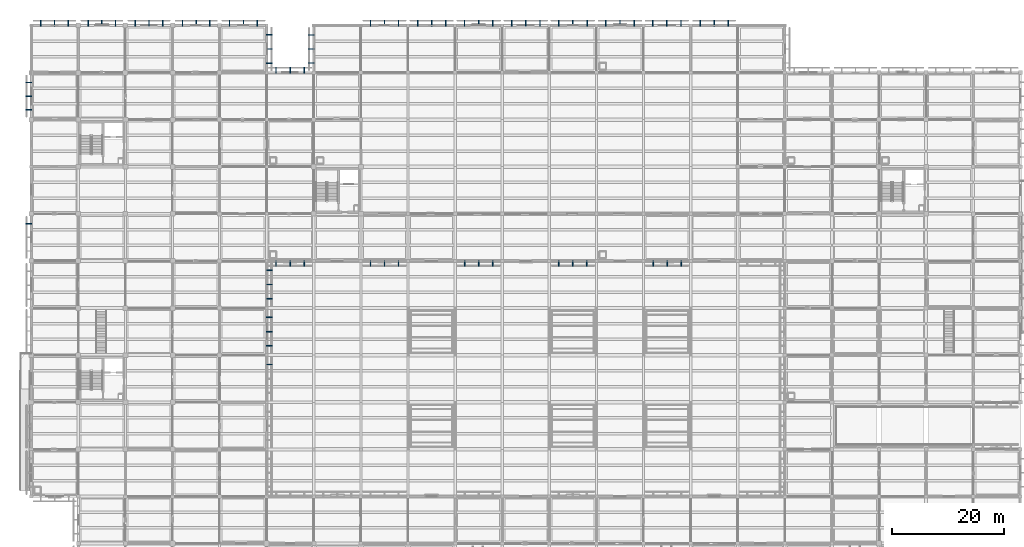
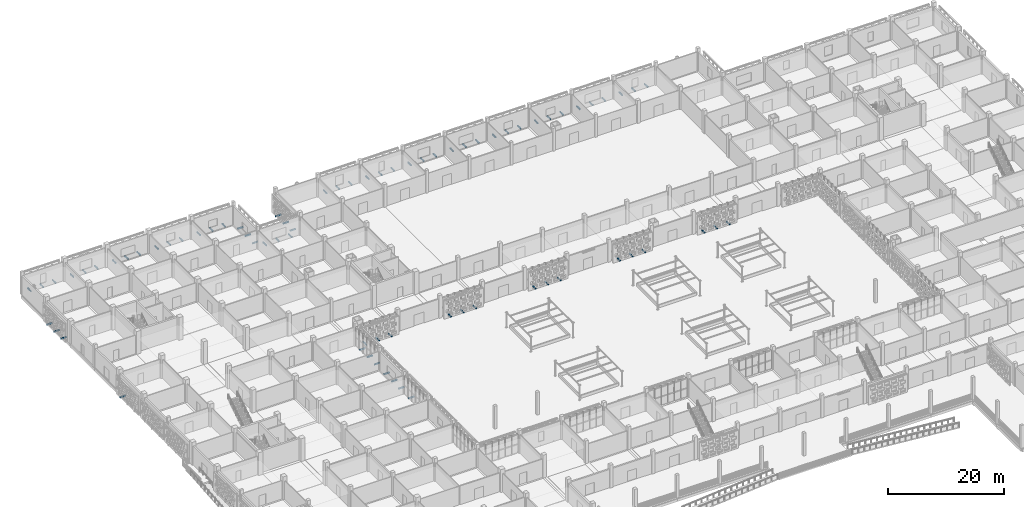
# One storey, part 78 of 129: 74 discrete accessories.
"""IFC4 building model written with IfcOpenShell, lengths in metres."""

from ifc_helpers import new_model, si_unit, direction, frame, origin, origin_2d, place, context, subcontext, project, spatial, rectangle, extrude, material, type_object, element, save


model = new_model("IFC4")

# Units and contexts
model_context = context("Model", 3, precision=1e-05, world=origin(), true_north=direction((0.0, 1.0)))
body_context = subcontext(model_context, "Body", "Model", "MODEL_VIEW")
ifc_project = project(units=[si_unit("LENGTHUNIT", "METRE"), si_unit("AREAUNIT", "SQUARE_METRE"), si_unit("VOLUMEUNIT", "CUBIC_METRE"), si_unit("PLANEANGLEUNIT", "RADIAN"), si_unit("MASSUNIT", "GRAM", prefix="KILO")], contexts=[model_context])

# Site, building, storey
site_placement = place(None, origin())
site = spatial("IfcSite", under=ifc_project, at=site_placement, CompositionType="ELEMENT")
building_placement = place(site_placement, origin())
building = spatial("IfcBuilding", under=site, at=building_placement, Name="Varnapada Polytechnic", CompositionType="ELEMENT")
storey_placement = place(building_placement, origin())
storey = spatial("IfcBuildingStorey", under=building, at=storey_placement, Name="L00", CompositionType="ELEMENT", Elevation=0.0)

# Discrete accessories
ifc_material = material(Name="Steel S355", Category="steel")
discrete_accessory_type = type_object("IfcDiscreteAccessoryType", Name="Screen Outrigger Bracket BRK-01", PredefinedType="BRACKET", material=ifc_material)
for number, where, z_axis, x_axis, name in (
    (1, (-0.425048828125, 90.632080078125, -0.0498046875), (0.0, 0.0, 1.0), (0.0, 1.0, 0.0), "L00 terracotta screen outrigger bracket 7.3"),
    (2, (-0.425048828125, 110.968017578125, -0.0498046875), (0.0, 0.0, 1.0), (0.0, 1.0, 0.0), "L00 terracotta screen outrigger bracket 10.1"),
    (3, (-0.425048828125, 113.39990234375, -0.0498046875), (0.0, 0.0, 1.0), (0.0, 1.0, 0.0), "L00 terracotta screen outrigger bracket 10.2"),
    (4, (-0.425048828125, 115.83203125, -0.0498046875), (0.0, 0.0, 1.0), (0.0, 1.0, 0.0), "L00 terracotta screen outrigger bracket 10.3"),
    (5, (1.68603515625, 126.425048828125, -0.0498046875), (0.0, 0.0, 1.0), (1.0, 0.0, 0.0), "L00 terracotta screen outrigger bracket 11.1"),
    (6, (4.14990234375, 126.425048828125, -0.0498046875), (0.0, 0.0, 1.0), (1.0, 0.0, 0.0), "L00 terracotta screen outrigger bracket 11.2"),
    (7, (6.614013671875, 126.425048828125, -0.0498046875), (0.0, 0.0, 1.0), (1.0, 0.0, 0.0), "L00 terracotta screen outrigger bracket 11.3"),
    (8, (10.16796875, 126.425048828125, -0.0498046875), (0.0, 0.0, 1.0), (1.0, 0.0, 0.0), "L00 terracotta screen outrigger bracket 19.1"),
    (9, (12.60009765625, 126.425048828125, -0.0498046875), (0.0, 0.0, 1.0), (1.0, 0.0, 0.0), "L00 terracotta screen outrigger bracket 19.2"),
    (10, (15.031982421875, 126.425048828125, -0.0498046875), (0.0, 0.0, 1.0), (1.0, 0.0, 0.0), "L00 terracotta screen outrigger bracket 19.3"),
    (11, (18.568115234375, 126.425048828125, -0.0498046875), (0.0, 0.0, 1.0), (1.0, 0.0, 0.0), "L00 terracotta screen outrigger bracket 21.1"),
    (12, (21.0, 126.425048828125, -0.0498046875), (0.0, 0.0, 1.0), (1.0, 0.0, 0.0), "L00 terracotta screen outrigger bracket 21.2"),
    (13, (23.431884765625, 126.425048828125, -0.0498046875), (0.0, 0.0, 1.0), (1.0, 0.0, 0.0), "L00 terracotta screen outrigger bracket 21.3"),
    (14, (26.97705078125, 126.425048828125, -0.0498046875), (0.0, 0.0, 1.0), (1.0, 0.0, 0.0), "L00 terracotta screen outrigger bracket 23.1"),
    (15, (29.425048828125, 126.425048828125, -0.0498046875), (0.0, 0.0, 1.0), (1.0, 0.0, 0.0), "L00 terracotta screen outrigger bracket 23.2"),
    (16, (31.873046875, 126.425048828125, -0.0498046875), (0.0, 0.0, 1.0), (1.0, 0.0, 0.0), "L00 terracotta screen outrigger bracket 23.3"),
    (17, (42.425048828125, 65.528076171875, -0.0498046875), (0.0, 0.0, 1.0), (0.0, -1.0, 0.0), "L00 terracotta screen outrigger bracket 27.1"),
    (18, (42.425048828125, 73.927978515625, -0.0498046875), (0.0, 0.0, 1.0), (0.0, -1.0, 0.0), "L00 terracotta screen outrigger bracket 28.1"),
    (19, (42.425048828125, 71.39990234375, -0.0498046875), (0.0, 0.0, 1.0), (0.0, -1.0, 0.0), "L00 terracotta screen outrigger bracket 28.2"),
    (20, (42.425048828125, 68.8720703125, -0.0498046875), (0.0, 0.0, 1.0), (0.0, -1.0, 0.0), "L00 terracotta screen outrigger bracket 28.3"),
    (21, (42.425048828125, 82.327880859375, -0.0498046875), (0.0, 0.0, 1.0), (0.0, -1.0, 0.0), "L00 terracotta screen outrigger bracket 29.1"),
    (22, (42.425048828125, 79.800048828125, -0.0498046875), (0.0, 0.0, 1.0), (0.0, -1.0, 0.0), "L00 terracotta screen outrigger bracket 29.2"),
    (23, (42.425048828125, 77.27197265625, -0.0498046875), (0.0, 0.0, 1.0), (0.0, -1.0, 0.0), "L00 terracotta screen outrigger bracket 29.3"),
    (24, (35.35400390625, 126.425048828125, -0.0498046875), (0.0, 0.0, 1.0), (1.0, 0.0, 0.0), "L00 terracotta screen outrigger bracket 30.1"),
    (25, (37.85009765625, 126.425048828125, -0.0498046875), (0.0, 0.0, 1.0), (1.0, 0.0, 0.0), "L00 terracotta screen outrigger bracket 30.2"),
    (26, (40.345947265625, 126.425048828125, -0.0498046875), (0.0, 0.0, 1.0), (1.0, 0.0, 0.0), "L00 terracotta screen outrigger bracket 30.3"),
    (27, (42.425048828125, 124.327880859375, -0.0498046875), (0.0, 0.0, 1.0), (0.0, -1.0, 0.0), "L00 terracotta screen outrigger bracket 31.1"),
    (28, (42.425048828125, 121.800048828125, -0.0498046875), (0.0, 0.0, 1.0), (0.0, -1.0, 0.0), "L00 terracotta screen outrigger bracket 31.2"),
    (29, (42.425048828125, 119.27197265625, -0.0498046875), (0.0, 0.0, 1.0), (0.0, -1.0, 0.0), "L00 terracotta screen outrigger bracket 31.3"),
    (30, (48.68701171875, 83.574951171875, -0.0498046875), (0.0, 0.0, 1.0), (-1.0, 0.0, 0.0), "L00 terracotta screen outrigger bracket 37.1"),
    (31, (46.175048828125, 83.574951171875, -0.0498046875), (0.0, 0.0, 1.0), (-1.0, 0.0, 0.0), "L00 terracotta screen outrigger bracket 37.2"),
    (32, (43.6630859375, 83.574951171875, -0.0498046875), (0.0, 0.0, 1.0), (-1.0, 0.0, 0.0), "L00 terracotta screen outrigger bracket 37.3"),
    (33, (43.6630859375, 118.02490234375, -0.0498046875), (0.0, 0.0, 1.0), (1.0, 0.0, 0.0), "L00 terracotta screen outrigger bracket 38.1"),
    (34, (46.175048828125, 118.02490234375, -0.0498046875), (0.0, 0.0, 1.0), (1.0, 0.0, 0.0), "L00 terracotta screen outrigger bracket 38.2"),
    (35, (48.68701171875, 118.02490234375, -0.0498046875), (0.0, 0.0, 1.0), (1.0, 0.0, 0.0), "L00 terracotta screen outrigger bracket 38.3"),
    (36, (49.97509765625, 119.303955078125, -0.0498046875), (0.0, 0.0, 1.0), (0.0, 1.0, 0.0), "L00 terracotta screen outrigger bracket 43.1"),
    (37, (49.97509765625, 121.800048828125, -0.0498046875), (0.0, 0.0, 1.0), (0.0, 1.0, 0.0), "L00 terracotta screen outrigger bracket 43.2"),
    (38, (49.97509765625, 124.2958984375, -0.0498046875), (0.0, 0.0, 1.0), (0.0, 1.0, 0.0), "L00 terracotta screen outrigger bracket 43.3"),
    (39, (65.49609375, 83.574951171875, -0.0498046875), (0.0, 0.0, 1.0), (-1.0, 0.0, 0.0), "L00 terracotta screen outrigger bracket 46.1"),
    (40, (63.0, 83.574951171875, -0.0498046875), (0.0, 0.0, 1.0), (-1.0, 0.0, 0.0), "L00 terracotta screen outrigger bracket 46.2"),
    (41, (60.50390625, 83.574951171875, -0.0498046875), (0.0, 0.0, 1.0), (-1.0, 0.0, 0.0), "L00 terracotta screen outrigger bracket 46.3"),
    (42, (60.50390625, 126.425048828125, -0.0498046875), (0.0, 0.0, 1.0), (1.0, 0.0, 0.0), "L00 terracotta screen outrigger bracket 47.1"),
    (43, (63.0, 126.425048828125, -0.0498046875), (0.0, 0.0, 1.0), (1.0, 0.0, 0.0), "L00 terracotta screen outrigger bracket 47.2"),
    (44, (65.49609375, 126.425048828125, -0.0498046875), (0.0, 0.0, 1.0), (1.0, 0.0, 0.0), "L00 terracotta screen outrigger bracket 47.3"),
    (45, (68.9130859375, 126.425048828125, -0.0498046875), (0.0, 0.0, 1.0), (1.0, 0.0, 0.0), "L00 terracotta screen outrigger bracket 51.1"),
    (46, (71.425048828125, 126.425048828125, -0.0498046875), (0.0, 0.0, 1.0), (1.0, 0.0, 0.0), "L00 terracotta screen outrigger bracket 51.2"),
    (47, (73.93701171875, 126.425048828125, -0.0498046875), (0.0, 0.0, 1.0), (1.0, 0.0, 0.0), "L00 terracotta screen outrigger bracket 51.3"),
    (48, (82.2958984375, 83.574951171875, -0.0498046875), (0.0, 0.0, 1.0), (-1.0, 0.0, 0.0), "L00 terracotta screen outrigger bracket 54.1"),
    (49, (79.800048828125, 83.574951171875, -0.0498046875), (0.0, 0.0, 1.0), (-1.0, 0.0, 0.0), "L00 terracotta screen outrigger bracket 54.2"),
    (50, (77.303955078125, 83.574951171875, -0.0498046875), (0.0, 0.0, 1.0), (-1.0, 0.0, 0.0), "L00 terracotta screen outrigger bracket 54.3"),
    (51, (77.27197265625, 126.425048828125, -0.0498046875), (0.0, 0.0, 1.0), (1.0, 0.0, 0.0), "L00 terracotta screen outrigger bracket 55.1"),
    (52, (79.800048828125, 126.425048828125, -0.0498046875), (0.0, 0.0, 1.0), (1.0, 0.0, 0.0), "L00 terracotta screen outrigger bracket 55.2"),
    (53, (82.327880859375, 126.425048828125, -0.0498046875), (0.0, 0.0, 1.0), (1.0, 0.0, 0.0), "L00 terracotta screen outrigger bracket 55.3"),
    (54, (85.672119140625, 126.425048828125, -0.0498046875), (0.0, 0.0, 1.0), (1.0, 0.0, 0.0), "L00 terracotta screen outrigger bracket 59.1"),
    (55, (88.199951171875, 126.425048828125, -0.0498046875), (0.0, 0.0, 1.0), (1.0, 0.0, 0.0), "L00 terracotta screen outrigger bracket 59.2"),
    (56, (90.72802734375, 126.425048828125, -0.0498046875), (0.0, 0.0, 1.0), (1.0, 0.0, 0.0), "L00 terracotta screen outrigger bracket 59.3"),
    (57, (99.095947265625, 83.574951171875, -0.0498046875), (0.0, 0.0, 1.0), (-1.0, 0.0, 0.0), "L00 terracotta screen outrigger bracket 62.1"),
    (58, (96.60009765625, 83.574951171875, -0.0498046875), (0.0, 0.0, 1.0), (-1.0, 0.0, 0.0), "L00 terracotta screen outrigger bracket 62.2"),
    (59, (94.10400390625, 83.574951171875, -0.0498046875), (0.0, 0.0, 1.0), (-1.0, 0.0, 0.0), "L00 terracotta screen outrigger bracket 62.3"),
    (60, (94.072021484375, 126.425048828125, -0.0498046875), (0.0, 0.0, 1.0), (1.0, 0.0, 0.0), "L00 terracotta screen outrigger bracket 63.1"),
    (61, (96.60009765625, 126.425048828125, -0.0498046875), (0.0, 0.0, 1.0), (1.0, 0.0, 0.0), "L00 terracotta screen outrigger bracket 63.2"),
    (62, (99.1279296875, 126.425048828125, -0.0498046875), (0.0, 0.0, 1.0), (1.0, 0.0, 0.0), "L00 terracotta screen outrigger bracket 63.3"),
    (63, (102.471923828125, 126.425048828125, -0.0498046875), (0.0, 0.0, 1.0), (1.0, 0.0, 0.0), "L00 terracotta screen outrigger bracket 67.1"),
    (64, (105.0, 126.425048828125, -0.0498046875), (0.0, 0.0, 1.0), (1.0, 0.0, 0.0), "L00 terracotta screen outrigger bracket 67.2"),
    (65, (107.528076171875, 126.425048828125, -0.0498046875), (0.0, 0.0, 1.0), (1.0, 0.0, 0.0), "L00 terracotta screen outrigger bracket 67.3"),
    (66, (115.89599609375, 83.574951171875, -0.0498046875), (0.0, 0.0, 1.0), (-1.0, 0.0, 0.0), "L00 terracotta screen outrigger bracket 70.1"),
    (67, (113.39990234375, 83.574951171875, -0.0498046875), (0.0, 0.0, 1.0), (-1.0, 0.0, 0.0), "L00 terracotta screen outrigger bracket 70.2"),
    (68, (110.904052734375, 83.574951171875, -0.0498046875), (0.0, 0.0, 1.0), (-1.0, 0.0, 0.0), "L00 terracotta screen outrigger bracket 70.3"),
    (69, (110.863037109375, 126.425048828125, -0.0498046875), (0.0, 0.0, 1.0), (1.0, 0.0, 0.0), "L00 terracotta screen outrigger bracket 71.1"),
    (70, (113.375, 126.425048828125, -0.0498046875), (0.0, 0.0, 1.0), (1.0, 0.0, 0.0), "L00 terracotta screen outrigger bracket 71.2"),
    (71, (115.886962890625, 126.425048828125, -0.0498046875), (0.0, 0.0, 1.0), (1.0, 0.0, 0.0), "L00 terracotta screen outrigger bracket 71.3"),
    (72, (119.303955078125, 126.425048828125, -0.0498046875), (0.0, 0.0, 1.0), (1.0, 0.0, 0.0), "L00 terracotta screen outrigger bracket 75.1"),
    (73, (121.800048828125, 126.425048828125, -0.0498046875), (0.0, 0.0, 1.0), (1.0, 0.0, 0.0), "L00 terracotta screen outrigger bracket 75.2"),
    (74, (124.2958984375, 126.425048828125, -0.0498046875), (0.0, 0.0, 1.0), (1.0, 0.0, 0.0), "L00 terracotta screen outrigger bracket 75.3"),
):
    element("IfcDiscreteAccessory", number, at=place(storey_placement, frame(where, z_axis=z_axis, x_axis=x_axis)), inside=storey, type_object=discrete_accessory_type, Name=name, PredefinedType="BRACKET", context=body_context, shape_type="SweptSolid", body=[
        extrude(rectangle(XDim=0.159912109375, YDim=1.090087890625, at=origin_2d()), origin(), (0.0, 0.0, 1.0), 0.219970703125),
    ])

save(model, "model.ifc")
